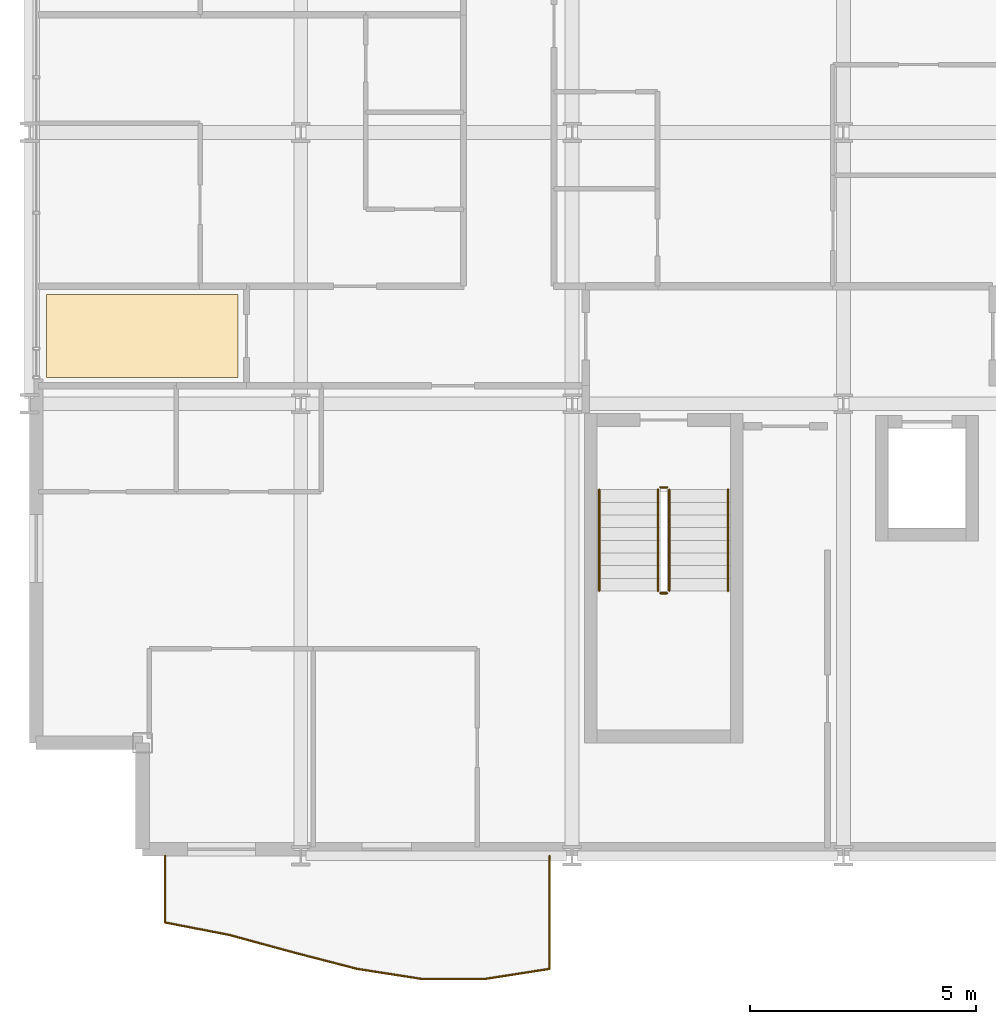
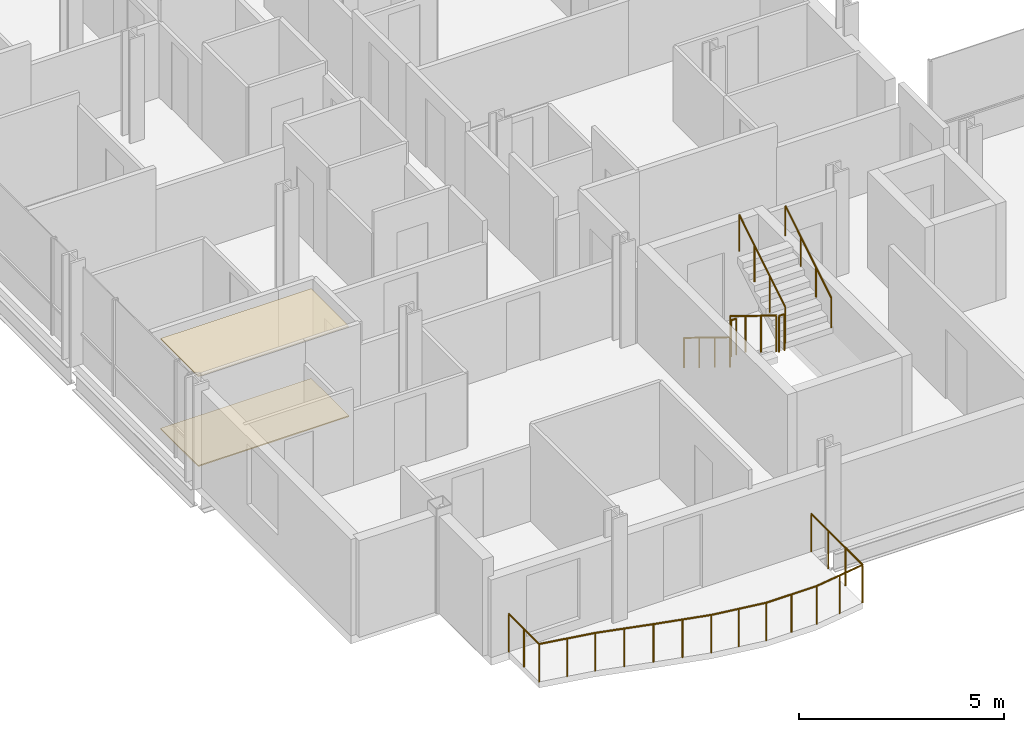
# One storey, part 38 of 41: 7 railings, 2 coverings.
"""IFC4 building model written with IfcOpenShell, lengths in metres."""

from ifc_helpers import new_model, si_unit, direction, frame, origin, origin_2d, place, context, subcontext, project, spatial, polyline, circle, outline, extrude, material, layer, layer_set, type_object, element, save


model = new_model("IFC4")

# Units and contexts
model_context = context("Model", 3, precision=1e-05, world=origin(), true_north=direction((0.0, 1.0)))
body_context = subcontext(model_context, "Body", "Model", "MODEL_VIEW")
ifc_project = project(units=[si_unit("LENGTHUNIT", "METRE"), si_unit("AREAUNIT", "SQUARE_METRE"), si_unit("VOLUMEUNIT", "CUBIC_METRE"), si_unit("PLANEANGLEUNIT", "RADIAN"), si_unit("MASSUNIT", "GRAM", prefix="KILO")], contexts=[model_context])

# Site, building, storey
site_placement = place(None, origin())
site = spatial("IfcSite", under=ifc_project, at=site_placement, CompositionType="ELEMENT")
building_placement = place(site_placement, origin())
building = spatial("IfcBuilding", under=site, at=building_placement, Name="Brevholm Reach", CompositionType="ELEMENT")
storey_placement = place(building_placement, frame((0.0, 0.0, 86.89990234375)))
storey = spatial("IfcBuildingStorey", under=building, at=storey_placement, Name="L25", CompositionType="ELEMENT", Elevation=86.89990234375)

# Coverings
ifc_material_1 = material(Name="Moisture-Resistant Skimmed Gypsum Plasterboard Ceiling", Category="gypsum")
ifc_layer_1 = layer(ifc_material_1, 0.030029296875)
ifc_layer_set_1 = layer_set([ifc_layer_1], Name="Moisture-Resistant Skimmed Gypsum Plasterboard Ceiling")
covering_type_1 = type_object("IfcCoveringType", Name="COV-CLG-GYP", PredefinedType="CEILING", material=ifc_layer_set_1)
covering_1_placement = place(storey_placement, frame((0.0, 0.0, 2.670166015625)))
element("IfcCovering", 1, at=covering_1_placement, inside=storey, type_object=covering_type_1, Name="L25 Suspended Ceiling L25-30", PredefinedType="CEILING", context=body_context, shape_type="SweptSolid", body=[
    extrude(outline(polyline([(0.3798828125, 12.419921875), (4.615966796875, 12.419921875), (4.615966796875, 10.583984375), (0.3798828125, 10.583984375), (0.3798828125, 12.419921875)])), origin(), (0.0, 0.0, 1.0), 0.030029296875),
])
ifc_material_2 = material(Name="Honed Portland-Aggregate Resin Terrazzo Flooring", Category="concrete")
ifc_layer_2 = layer(ifc_material_2, 0.031982421875)
ifc_layer_set_2 = layer_set([ifc_layer_2], Name="Honed Portland-Aggregate Resin Terrazzo Flooring")
covering_type_2 = type_object("IfcCoveringType", Name="COV-FLR-TRZ", PredefinedType="FLOORING", material=ifc_layer_set_2)
covering_2_placement = place(storey_placement, origin())
element("IfcCovering", 2, at=covering_2_placement, inside=storey, type_object=covering_type_2, Name="L25 Floor Finish L25-30", PredefinedType="FLOORING", context=body_context, shape_type="SweptSolid", body=[
    extrude(outline(polyline([(0.3798828125, 12.419921875), (4.615966796875, 12.419921875), (4.615966796875, 10.583984375), (0.3798828125, 10.583984375), (0.3798828125, 12.419921875)])), origin(), (0.0, 0.0, 1.0), 0.031982421875),
])

# Railings
ifc_material_3 = material(Name="Brushed Stainless Steel EN 1.4401 and Laminated Glass", Category="steel")
railing_type_1 = type_object("IfcRailingType", Name="RAL-BALC-1150", PredefinedType="BALUSTRADE", material=ifc_material_3)
railing_1_placement = place(storey_placement, frame((3.0, 0.0, 0.0)))
element("IfcRailing", 3, at=railing_1_placement, inside=storey, type_object=railing_type_1, Name="L25 Guard Balustrade RAL-L25-BAL-SW", PredefinedType="BALUSTRADE", context=body_context, shape_type="SweptSolid", body=[
    extrude(circle(Radius=0.02392578125, at=origin_2d()), frame((0.0, 0.0, 1.1259765625), z_axis=(0.0, -1.0, 0.0), x_axis=(1.0, 0.0, 0.0)), (0.0, 0.0, 1.0), 1.4736328125),
    extrude(circle(Radius=0.02392578125, at=origin_2d()), frame((0.0, -1.4736328125, 1.1259765625), z_axis=(0.981784941083, -0.189995603797, 0.0), x_axis=(0.189995603797, 0.981784941083, 0.0)), (0.0, 0.0, 1.0), 1.443115234375),
    extrude(circle(Radius=0.02392578125, at=origin_2d()), frame((1.416748046875, -1.747802734375, 1.1259765625), z_axis=(0.964821360478, -0.262906337628, 0.0), x_axis=(0.262906337628, 0.964821360478, 0.0)), (0.0, 0.0, 1.0), 1.46826171875),
    extrude(circle(Radius=0.02392578125, at=origin_2d()), frame((2.833251953125, -2.1337890625, 1.1259765625), z_axis=(0.968218696825, -0.250105088151, 0.0), x_axis=(0.250105088151, 0.968218696825, 0.0)), (0.0, 0.0, 1.0), 1.463134765625),
    extrude(circle(Radius=0.02392578125, at=origin_2d()), frame((4.25, -2.499755859375, 1.1259765625), z_axis=(0.988082538492, -0.153924972393, 0.0), x_axis=(0.153924972393, 0.988082538492, 0.0)), (0.0, 0.0, 1.0), 1.433837890625),
    extrude(circle(Radius=0.02392578125, at=origin_2d()), frame((5.666748046875, -2.720458984375, 1.1259765625), z_axis=(1.0, 0.0, 0.0), x_axis=(0.0, 1.0, 0.0)), (0.0, 0.0, 1.0), 1.41650390625),
    extrude(circle(Radius=0.02392578125, at=origin_2d()), frame((7.083251953125, -2.720458984375, 1.1259765625), z_axis=(0.988082538492, 0.153924972393, 0.0), x_axis=(-0.153924972393, 0.988082538492, 0.0)), (0.0, 0.0, 1.0), 1.433837890625),
    extrude(circle(Radius=0.02392578125, at=origin_2d()), frame((8.5, -2.499755859375, 1.1259765625), z_axis=(0.0, 1.0, 0.0), x_axis=(-1.0, 0.0, 0.0)), (0.0, 0.0, 1.0), 2.499755859375),
    extrude(circle(Radius=0.02099609375, at=origin_2d()), origin(), (0.0, 0.0, 1.0), 1.101806640625),
    extrude(circle(Radius=0.02099609375, at=origin_2d()), frame((0.0, -0.73681640625, 0.0)), (0.0, 0.0, 1.0), 1.101806640625),
    extrude(circle(Radius=0.02099609375, at=origin_2d()), frame((0.0, -1.4736328125, 0.0)), (0.0, 0.0, 1.0), 1.101806640625),
    extrude(circle(Radius=0.02099609375, at=origin_2d()), frame((0.70849609375, -1.61083984375, 0.0)), (0.0, 0.0, 1.0), 1.101806640625),
    extrude(circle(Radius=0.02099609375, at=origin_2d()), frame((1.416748046875, -1.747802734375, 0.0)), (0.0, 0.0, 1.0), 1.101806640625),
    extrude(circle(Radius=0.02099609375, at=origin_2d()), frame((2.125, -1.94091796875, 0.0)), (0.0, 0.0, 1.0), 1.101806640625),
    extrude(circle(Radius=0.02099609375, at=origin_2d()), frame((2.833251953125, -2.1337890625, 0.0)), (0.0, 0.0, 1.0), 1.101806640625),
    extrude(circle(Radius=0.02099609375, at=origin_2d()), frame((3.54150390625, -2.31689453125, 0.0)), (0.0, 0.0, 1.0), 1.101806640625),
    extrude(circle(Radius=0.02099609375, at=origin_2d()), frame((4.25, -2.499755859375, 0.0)), (0.0, 0.0, 1.0), 1.101806640625),
    extrude(circle(Radius=0.02099609375, at=origin_2d()), frame((4.95849609375, -2.610107421875, 0.0)), (0.0, 0.0, 1.0), 1.101806640625),
    extrude(circle(Radius=0.02099609375, at=origin_2d()), frame((5.666748046875, -2.720458984375, 0.0)), (0.0, 0.0, 1.0), 1.101806640625),
    extrude(circle(Radius=0.02099609375, at=origin_2d()), frame((6.375, -2.720458984375, 0.0)), (0.0, 0.0, 1.0), 1.101806640625),
    extrude(circle(Radius=0.02099609375, at=origin_2d()), frame((7.083251953125, -2.720458984375, 0.0)), (0.0, 0.0, 1.0), 1.101806640625),
    extrude(circle(Radius=0.02099609375, at=origin_2d()), frame((7.79150390625, -2.610107421875, 0.0)), (0.0, 0.0, 1.0), 1.101806640625),
    extrude(circle(Radius=0.02099609375, at=origin_2d()), frame((8.5, -2.499755859375, 0.0)), (0.0, 0.0, 1.0), 1.101806640625),
    extrude(circle(Radius=0.02099609375, at=origin_2d()), frame((8.5, -1.66650390625, 0.0)), (0.0, 0.0, 1.0), 1.101806640625),
    extrude(circle(Radius=0.02099609375, at=origin_2d()), frame((8.5, -0.833251953125, 0.0)), (0.0, 0.0, 1.0), 1.101806640625),
    extrude(circle(Radius=0.02099609375, at=origin_2d()), frame((8.5, 0.0, 0.0)), (0.0, 0.0, 1.0), 1.101806640625),
])
ifc_material_4 = material(Name="Brushed Stainless Steel EN 1.4401 Continuous Handrail", Category="steel")
railing_type_2 = type_object("IfcRailingType", Name="RAL-HND-950", PredefinedType="HANDRAIL", material=ifc_material_4)
railing_2_placement = place(storey_placement, frame((12.60009765625, 8.10009765625, 0.17236328125)))
element("IfcRailing", 4, at=railing_2_placement, inside=storey, type_object=railing_type_2, Name="L25 ST-1 stair handrail 1", PredefinedType="HANDRAIL", context=body_context, shape_type="SweptSolid", body=[
    extrude(circle(Radius=0.02392578125, at=origin_2d()), frame((0.0, 0.0, 0.8857421875), z_axis=(0.0, -0.85178898068, 0.523885037382), x_axis=(1.0, 0.0, 0.0)), (0.0, 0.0, 1.0), 2.629638671875),
    extrude(circle(Radius=0.02099609375, at=origin_2d()), origin(), (0.0, 0.0, 1.0), 0.86181640625),
    extrude(circle(Radius=0.02099609375, at=origin_2d()), frame((0.0, -0.74658203125, 0.459228515625)), (0.0, 0.0, 1.0), 0.86181640625),
    extrude(circle(Radius=0.02099609375, at=origin_2d()), frame((0.0, -1.493408203125, 0.91845703125)), (0.0, 0.0, 1.0), 0.86181640625),
    extrude(circle(Radius=0.02099609375, at=origin_2d()), frame((0.0, -2.239990234375, 1.377685546875)), (0.0, 0.0, 1.0), 0.86181640625),
])
railing_3_placement = place(storey_placement, frame((15.449951171875, 5.860107421875, 1.722412109375)))
element("IfcRailing", 5, at=railing_3_placement, inside=storey, type_object=railing_type_2, Name="L25 ST-1 stair handrail 2", PredefinedType="HANDRAIL", context=body_context, shape_type="SweptSolid", body=[
    extrude(circle(Radius=0.02392578125, at=origin_2d()), frame((0.0, 0.0, 0.8857421875), z_axis=(0.0, 0.85178898068, 0.523885037382), x_axis=(-1.0, 0.0, 0.0)), (0.0, 0.0, 1.0), 2.629638671875),
    extrude(circle(Radius=0.02099609375, at=origin_2d()), origin(), (0.0, 0.0, 1.0), 0.86181640625),
    extrude(circle(Radius=0.02099609375, at=origin_2d()), frame((0.0, 0.74658203125, 0.459228515625)), (0.0, 0.0, 1.0), 0.86181640625),
    extrude(circle(Radius=0.02099609375, at=origin_2d()), frame((0.0, 1.493408203125, 0.91845703125)), (0.0, 0.0, 1.0), 0.86181640625),
    extrude(circle(Radius=0.02099609375, at=origin_2d()), frame((0.0, 2.239990234375, 1.377685546875)), (0.0, 0.0, 1.0), 0.86181640625),
])
ifc_material_5 = material(Name="Painted Tubular Galvanised Steel S275JR Stair Guard", Category="steel")
railing_type_3 = type_object("IfcRailingType", Name="RAL-STG-1120", PredefinedType="BALUSTRADE", material=ifc_material_5)
railing_4_placement = place(storey_placement, frame((13.89990234375, 8.10009765625, 0.17236328125)))
element("IfcRailing", 6, at=railing_4_placement, inside=storey, type_object=railing_type_3, Name="L25 ST-1 stair guard 1", PredefinedType="BALUSTRADE", context=body_context, shape_type="SweptSolid", body=[
    extrude(circle(Radius=0.02392578125, at=origin_2d()), frame((0.0, 0.0, 1.076171875), z_axis=(0.0, -0.85178898068, 0.523885037382), x_axis=(1.0, 0.0, 0.0)), (0.0, 0.0, 1.0), 2.629638671875),
    extrude(circle(Radius=0.02099609375, at=origin_2d()), origin(), (0.0, 0.0, 1.0), 1.052001953125),
    extrude(circle(Radius=0.02099609375, at=origin_2d()), frame((0.0, -0.74658203125, 0.459228515625)), (0.0, 0.0, 1.0), 1.052001953125),
    extrude(circle(Radius=0.02099609375, at=origin_2d()), frame((0.0, -1.493408203125, 0.91845703125)), (0.0, 0.0, 1.0), 1.052001953125),
    extrude(circle(Radius=0.02099609375, at=origin_2d()), frame((0.0, -2.239990234375, 1.377685546875)), (0.0, 0.0, 1.0), 1.052001953125),
])
railing_5_placement = place(storey_placement, frame((13.949951171875, 5.81005859375, 1.550048828125)))
element("IfcRailing", 7, at=railing_5_placement, inside=storey, type_object=railing_type_3, Name="L25 ST-1 stair guard 2", PredefinedType="BALUSTRADE", context=body_context, shape_type="SweptSolid", body=[
    extrude(circle(Radius=0.02392578125, at=origin_2d()), frame((0.0, 0.0, 1.076171875), z_axis=(1.0, 0.0, 0.0), x_axis=(0.0, 1.0, 0.0)), (0.0, 0.0, 1.0), 0.150146484375),
    extrude(circle(Radius=0.02099609375, at=origin_2d()), origin(), (0.0, 0.0, 1.0), 1.052001953125),
    extrude(circle(Radius=0.02099609375, at=origin_2d()), frame((0.150146484375, 0.0, 0.0)), (0.0, 0.0, 1.0), 1.052001953125),
])
railing_6_placement = place(storey_placement, frame((14.14990234375, 5.860107421875, 1.722412109375)))
element("IfcRailing", 8, at=railing_6_placement, inside=storey, type_object=railing_type_3, Name="L25 ST-1 stair guard 3", PredefinedType="BALUSTRADE", context=body_context, shape_type="SweptSolid", body=[
    extrude(circle(Radius=0.02392578125, at=origin_2d()), frame((0.0, 0.0, 1.076171875), z_axis=(0.0, 0.85178898068, 0.523885037382), x_axis=(-1.0, 0.0, 0.0)), (0.0, 0.0, 1.0), 2.629638671875),
    extrude(circle(Radius=0.02099609375, at=origin_2d()), origin(), (0.0, 0.0, 1.0), 1.052001953125),
    extrude(circle(Radius=0.02099609375, at=origin_2d()), frame((0.0, 0.74658203125, 0.459228515625)), (0.0, 0.0, 1.0), 1.052001953125),
    extrude(circle(Radius=0.02099609375, at=origin_2d()), frame((0.0, 1.493408203125, 0.91845703125)), (0.0, 0.0, 1.0), 1.052001953125),
    extrude(circle(Radius=0.02099609375, at=origin_2d()), frame((0.0, 2.239990234375, 1.377685546875)), (0.0, 0.0, 1.0), 1.052001953125),
])
railing_7_placement = place(storey_placement, frame((13.949951171875, 8.14990234375, 0.0)))
element("IfcRailing", 9, at=railing_7_placement, inside=storey, type_object=railing_type_3, Name="L25 ST-1 stair guard 4", PredefinedType="BALUSTRADE", context=body_context, shape_type="SweptSolid", body=[
    extrude(circle(Radius=0.02392578125, at=origin_2d()), frame((0.0, 0.0, 1.076171875), z_axis=(1.0, 0.0, 0.0), x_axis=(0.0, 1.0, 0.0)), (0.0, 0.0, 1.0), 0.150146484375),
    extrude(circle(Radius=0.02099609375, at=origin_2d()), origin(), (0.0, 0.0, 1.0), 1.052001953125),
    extrude(circle(Radius=0.02099609375, at=origin_2d()), frame((0.150146484375, 0.0, 0.0)), (0.0, 0.0, 1.0), 1.052001953125),
])

save(model, "model.ifc")
